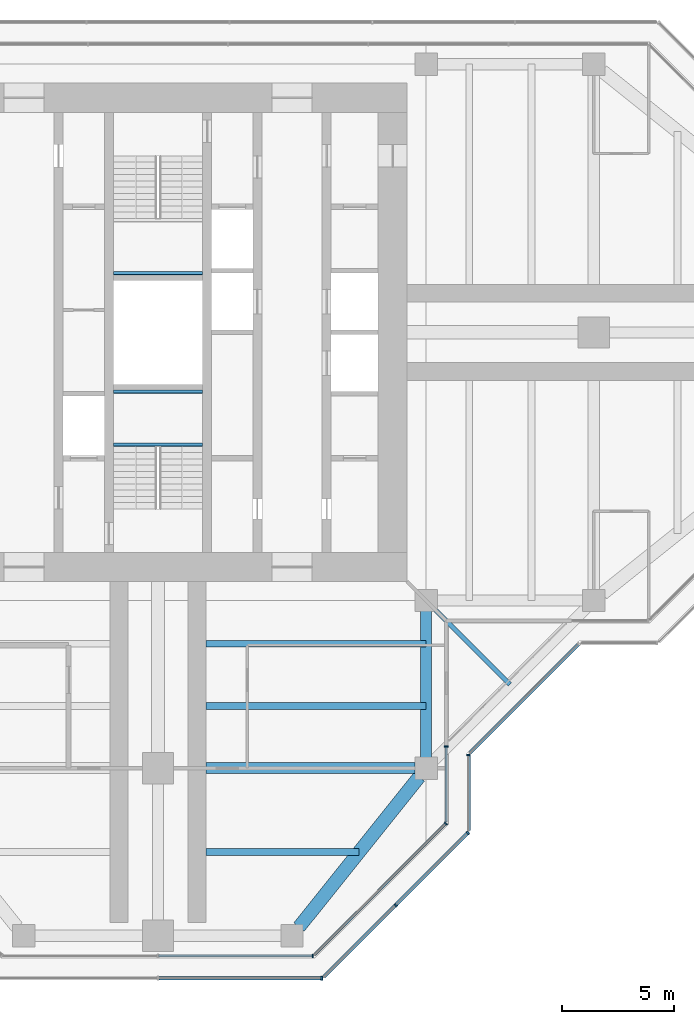
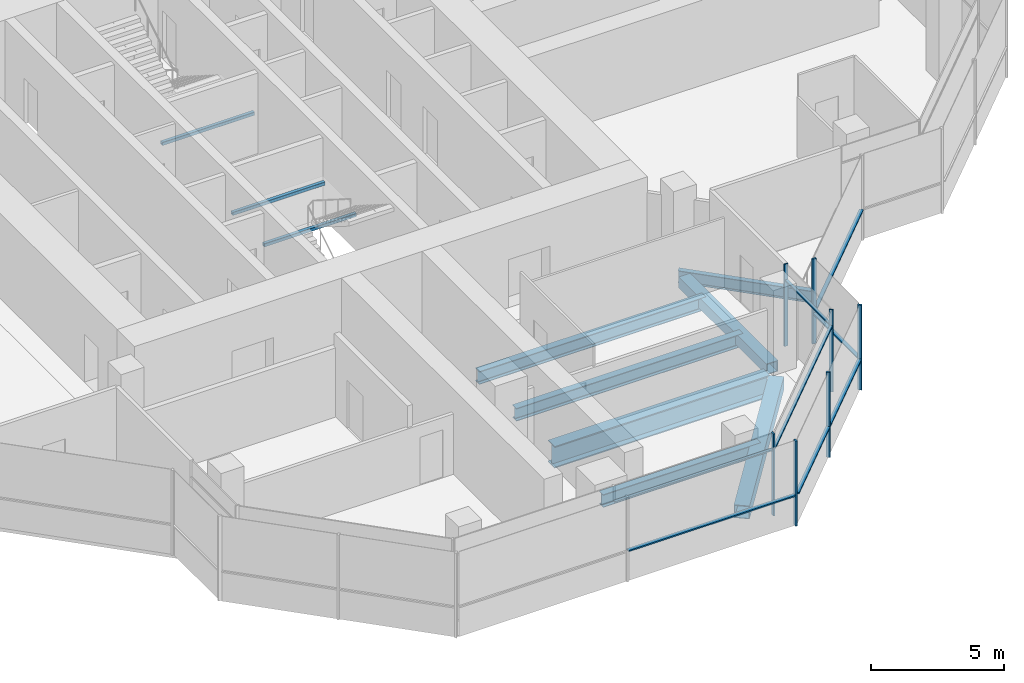
# One storey, part 4 of 15: 15 members, 10 beams, 7 elements without a shape of their own.
"""IFC4 building model written with IfcOpenShell, lengths in metres."""

from ifc_helpers import new_model, si_unit, direction, frame, origin, origin_2d, place, context, subcontext, project, spatial, rectangle, hollow_rectangle, i_section, extrude, material, material_profile, profile_set, type_object, element, aggregate, save


model = new_model("IFC4")

# Units and contexts
model_context = context("Model", 3, precision=1e-05, world=origin(), true_north=direction((0.0, 1.0)))
body_context = subcontext(model_context, "Body", "Model", "MODEL_VIEW")
ifc_project = project(units=[si_unit("LENGTHUNIT", "METRE"), si_unit("AREAUNIT", "SQUARE_METRE"), si_unit("VOLUMEUNIT", "CUBIC_METRE"), si_unit("PLANEANGLEUNIT", "RADIAN"), si_unit("MASSUNIT", "GRAM", prefix="KILO")], contexts=[model_context])

# Site, building, storey
site_placement = place(None, origin())
site = spatial("IfcSite", under=ifc_project, at=site_placement, CompositionType="ELEMENT")
building_placement = place(site_placement, origin())
building = spatial("IfcBuilding", under=site, at=building_placement, Name="Mizan Broadcast Tower", CompositionType="ELEMENT")
storey_placement = place(building_placement, frame((0.0, 0.0, 282.89990234375)))
storey = spatial("IfcBuildingStorey", under=building, at=storey_placement, Name="L67", CompositionType="ELEMENT", Elevation=282.89990234375)

# Beams
ifc_material_1 = material(Name="Steel S355", Category="steel")
ifc_material_profile_1 = material_profile(ifc_material_1, hollow_rectangle(XDim=0.5, YDim=0.5, WallThickness=0.030029296875, at=origin_2d()), Name="BOX 500x500x30")
ifc_profile_set_1 = profile_set([ifc_material_profile_1], Name="Steel S355")
beam_type_1 = type_object("IfcBeamType", Name="EDGE BEAM BOX 500x500x30", PredefinedType="SPANDREL", material=ifc_profile_set_1)
beam_1_placement = place(storey_placement, frame((12.0, -12.449951171875, -0.3798828125), z_axis=(0.0, -1.0, 0.0), x_axis=(1.0, 0.0, 0.0)))
element("IfcBeam", 1, at=beam_1_placement, inside=storey, type_object=beam_type_1, Name="Edge beam BOX 500x500x30 L67 south arm", PredefinedType="SPANDREL", context=body_context, shape_type="SweptSolid", body=[
    extrude(hollow_rectangle(XDim=0.5, YDim=0.5, WallThickness=0.030029296875, at=origin_2d()), origin(), (0.0, 0.0, 1.0), 6.60009765625),
])
ifc_material_2 = material(Name="Steel S355", Category="steel")
ifc_material_profile_2 = material_profile(ifc_material_2, hollow_rectangle(XDim=0.60009765625, YDim=0.60009765625, WallThickness=0.030029296875, at=origin_2d()), Name="BOX 600x600x30")
ifc_profile_set_2 = profile_set([ifc_material_profile_2], Name="Steel S355")
beam_type_2 = type_object("IfcBeamType", Name="EDGE BEAM BOX 600x600x30", PredefinedType="SPANDREL", material=ifc_profile_set_2)
beam_2_placement = place(storey_placement, frame((11.687744140625, -19.890380859375, -0.429931640625), z_axis=(-0.62470196761, -0.780863273348, 0.0), x_axis=(0.780863273348, -0.62470196761, 0.0)))
element("IfcBeam", 2, at=beam_2_placement, inside=storey, type_object=beam_type_2, Name="Edge beam BOX 600x600x30 L67 south arm", PredefinedType="SPANDREL", context=body_context, shape_type="SweptSolid", body=[
    extrude(hollow_rectangle(XDim=0.60009765625, YDim=0.60009765625, WallThickness=0.030029296875, at=origin_2d()), origin(), (0.0, 0.0, 1.0), 8.60498046875),
])
ifc_material_3 = material(Name="Steel S460", Category="steel")
ifc_material_profile_3 = material_profile(ifc_material_3, i_section(OverallWidth=0.5, OverallDepth=1.0, WebThickness=0.02490234375, FlangeThickness=0.050048828125, at=origin_2d()), Name="WPG 1000x500")
ifc_profile_set_3 = profile_set([ifc_material_profile_3], Name="Steel S460")
beam_type_3 = type_object("IfcBeamType", Name="GIRDER WPG 1000x500", PredefinedType="BEAM", material=ifc_profile_set_3)
beam_3_placement = place(storey_placement, frame((11.5, -19.5, -0.6298828125), z_axis=(-1.0, 0.0, 0.0), x_axis=(0.0, -1.0, 0.0)))
element("IfcBeam", 3, at=beam_3_placement, inside=storey, type_object=beam_type_3, Name="Girder WPG 1000x500 L67 south arm", PredefinedType="BEAM", context=body_context, shape_type="SweptSolid", body=[
    extrude(i_section(OverallWidth=0.5, OverallDepth=1.0, WebThickness=0.02490234375, FlangeThickness=0.050048828125, at=origin_2d()), origin(), (0.0, 0.0, 1.0), 9.35009765625),
])

# Curtain wall, member
ifc_material_4 = material(Name="Aluminium framed glazing", Category="aluminium")
curtain_wall_type_1 = type_object("IfcCurtainWallType", Name="INNER SKIN TOP ZONE", PredefinedType="USERDEFINED", material=ifc_material_4)
curtain_wall_1_placement = place(storey_placement, origin())
curtain_wall_1 = element("IfcCurtainWall", 4, at=curtain_wall_1_placement, inside=storey, type_object=curtain_wall_type_1, Name="Inner skin top zone L67 S end", ObjectType="INNER SKIN TOP ZONE", PredefinedType="USERDEFINED")
ifc_material_5 = material(Name="Aluminium, pale anodised", Category="aluminium")
ifc_material_profile_4 = material_profile(ifc_material_5, rectangle(XDim=0.159912109375, YDim=0.06005859375, at=origin_2d()), Name="MULLION 160x60")
ifc_profile_set_4 = profile_set([ifc_material_profile_4], Name="Aluminium, pale anodised")
member_type_1 = type_object("IfcMemberType", Name="INNER SKIN MULLION 60x160", PredefinedType="MULLION", material=ifc_profile_set_4)
member_1_placement = place(storey_placement, frame((6.928466796875, -27.89990234375, 0.0), z_axis=(0.0, 0.0, 1.0), x_axis=(0.0, 1.0, 0.0)))
member_1 = element("IfcMember", 5, at=member_1_placement, type_object=member_type_1, Name="Inner skin top zone L67 S end mullion 3", PredefinedType="MULLION", context=body_context, shape_type="SweptSolid", body=[
    extrude(rectangle(XDim=0.159912109375, YDim=0.06005859375, at=origin_2d()), origin(), (0.0, 0.0, 1.0), 3.77001953125),
])

curtain_wall_2_placement = place(storey_placement, origin())
curtain_wall_2 = element("IfcCurtainWall", 6, at=curtain_wall_2_placement, inside=storey, type_object=curtain_wall_type_1, Name="Inner skin top zone L67 S chamfer", ObjectType="INNER SKIN TOP ZONE", PredefinedType="USERDEFINED")
member_2_placement = place(storey_placement, frame((12.87890625, -21.979736328125, 0.0), z_axis=(0.0, 0.0, 1.0), x_axis=(-0.707106781187, 0.707106781187, 0.0)))
member_2 = element("IfcMember", 7, at=member_2_placement, type_object=member_type_1, Name="Inner skin top zone L67 S chamfer mullion 2", PredefinedType="MULLION", context=body_context, shape_type="SweptSolid", body=[
    extrude(rectangle(XDim=0.159912109375, YDim=0.06005859375, at=origin_2d()), origin(), (0.0, 0.0, 1.0), 3.77001953125),
])

curtain_wall_3_placement = place(storey_placement, origin())
curtain_wall_3 = element("IfcCurtainWall", 8, at=curtain_wall_3_placement, inside=storey, type_object=curtain_wall_type_1, Name="Inner skin top zone L67 S side", ObjectType="INNER SKIN TOP ZONE", PredefinedType="USERDEFINED")
member_3_placement = place(storey_placement, frame((12.89990234375, -18.530029296875, 0.0), z_axis=(0.0, 0.0, 1.0), x_axis=(-1.0, 0.0, 0.0)))
member_3 = element("IfcMember", 9, at=member_3_placement, type_object=member_type_1, Name="Inner skin top zone L67 S side mullion 2", PredefinedType="MULLION", context=body_context, shape_type="SweptSolid", body=[
    extrude(rectangle(XDim=0.159912109375, YDim=0.06005859375, at=origin_2d()), origin(), (0.0, 0.0, 1.0), 3.77001953125),
])

# Member
ifc_material_6 = material(Name="Aluminium, pale anodised", Category="aluminium")
ifc_material_profile_5 = material_profile(ifc_material_6, rectangle(XDim=0.1201171875, YDim=0.06005859375, at=origin_2d()), Name="TRANSOM 120x60")
ifc_profile_set_5 = profile_set([ifc_material_profile_5], Name="Aluminium, pale anodised")
member_type_2 = type_object("IfcMemberType", Name="INNER SKIN TRANSOM 60x120", PredefinedType="USERDEFINED", material=ifc_profile_set_5)
member_4_placement = place(storey_placement, frame((0.030029296875, -27.89990234375, 3.030029296875), z_axis=(1.0, 0.0, 0.0), x_axis=(0.0, 1.0, 0.0)))
member_4 = element("IfcMember", 10, at=member_4_placement, type_object=member_type_2, Name="Inner skin top zone L67 S end transom 2.1", ObjectType="TRANSOM", PredefinedType="USERDEFINED", context=body_context, shape_type="SweptSolid", body=[
    extrude(rectangle(XDim=0.1201171875, YDim=0.06005859375, at=origin_2d()), origin(), (0.0, 0.0, 1.0), 6.86865234375),
])

aggregate(curtain_wall_1, [member_1, member_4])

member_5_placement = place(storey_placement, frame((7.0009765625, -27.857666015625, 3.030029296875), z_axis=(0.707106781187, 0.707106781187, 0.0), x_axis=(-0.707106781187, 0.707106781187, 0.0)))
member_5 = element("IfcMember", 11, at=member_5_placement, type_object=member_type_2, Name="Inner skin top zone L67 S chamfer transom 1.1", ObjectType="TRANSOM", PredefinedType="USERDEFINED", context=body_context, shape_type="SweptSolid", body=[
    extrude(rectangle(XDim=0.1201171875, YDim=0.06005859375, at=origin_2d()), origin(), (0.0, 0.0, 1.0), 8.28271484375),
])

aggregate(curtain_wall_2, [member_2, member_5])

member_6_placement = place(storey_placement, frame((12.89990234375, -21.898681640625, 3.030029296875), z_axis=(0.0, 1.0, 0.0), x_axis=(-1.0, 0.0, 0.0)))
member_6 = element("IfcMember", 12, at=member_6_placement, type_object=member_type_2, Name="Inner skin top zone L67 S side transom 1.1", ObjectType="TRANSOM", PredefinedType="USERDEFINED", context=body_context, shape_type="SweptSolid", body=[
    extrude(rectangle(XDim=0.1201171875, YDim=0.06005859375, at=origin_2d()), origin(), (0.0, 0.0, 1.0), 3.338623046875),
])

aggregate(curtain_wall_3, [member_3, member_6])

# Beams
ifc_material_7 = material(Name="Steel S355", Category="steel")
ifc_material_profile_6 = material_profile(ifc_material_7, hollow_rectangle(XDim=0.14990234375, YDim=0.14990234375, WallThickness=0.008056640625, InnerFilletRadius=0.008056640625, OuterFilletRadius=0.011962890625, at=origin_2d()), Name="SHS 150x150x8")
ifc_profile_set_6 = profile_set([ifc_material_profile_6], Name="Steel S355")
beam_type_4 = type_object("IfcBeamType", Name="LANDING TRIMMER SHS 150x150x8", PredefinedType="BEAM", material=ifc_profile_set_6)
for number, where, z_axis, x_axis, name in (
    (13, (-2.0, -5.02490234375, 1.675048828125), (1.0, 0.0, 0.0), (0.0, 1.0, 0.0), "Stair A landing trimmer L67"),
    (14, (-2.0, -2.64990234375, 1.675048828125), (1.0, 0.0, 0.0), (0.0, 1.0, 0.0), "Stair A landing trimmer L67"),
    (15, (2.0, 2.64990234375, 1.675048828125), (-1.0, 0.0, 0.0), (0.0, -1.0, 0.0), "Stair B landing trimmer L67"),
):
    element("IfcBeam", number, at=place(storey_placement, frame(where, z_axis=z_axis, x_axis=x_axis)), inside=storey, type_object=beam_type_4, Name=name, PredefinedType="BEAM", context=body_context, shape_type="SweptSolid", body=[
        extrude(hollow_rectangle(XDim=0.14990234375, YDim=0.14990234375, WallThickness=0.008056640625, InnerFilletRadius=0.008056640625, OuterFilletRadius=0.011962890625, at=origin_2d()), origin(), (0.0, 0.0, 1.0), 4.0),
    ])

# Curtain wall, member
ifc_material_8 = material(Name="Aluminium framed glazing", Category="aluminium")
curtain_wall_type_2 = type_object("IfcCurtainWallType", Name="OUTER SKIN", PredefinedType="USERDEFINED", material=ifc_material_8)
curtain_wall_4_placement = place(storey_placement, origin())
curtain_wall_4 = element("IfcCurtainWall", 16, at=curtain_wall_4_placement, inside=storey, type_object=curtain_wall_type_2, Name="Outer skin L67 S end", ObjectType="OUTER SKIN", PredefinedType="USERDEFINED")
ifc_material_9 = material(Name="Aluminium, pale anodised", Category="aluminium")
ifc_material_profile_7 = material_profile(ifc_material_9, rectangle(XDim=0.159912109375, YDim=0.080078125, at=origin_2d()), Name="MULLION 160x80")
ifc_profile_set_7 = profile_set([ifc_material_profile_7], Name="Aluminium, pale anodised")
member_type_3 = type_object("IfcMemberType", Name="OUTER SKIN MULLION 80x160", PredefinedType="MULLION", material=ifc_profile_set_7)
member_7_placement = place(storey_placement, frame((7.332763671875, -28.89990234375, 0.0), z_axis=(0.0, 0.0, 1.0), x_axis=(0.0, 1.0, 0.0)))
member_7 = element("IfcMember", 17, at=member_7_placement, type_object=member_type_3, Name="Outer skin L67 S end mullion 3", PredefinedType="MULLION", context=body_context, shape_type="SweptSolid", body=[
    extrude(rectangle(XDim=0.159912109375, YDim=0.080078125, at=origin_2d()), origin(), (0.0, 0.0, 1.0), 3.900146484375),
])

# Curtain wall, members
curtain_wall_5_placement = place(storey_placement, origin())
curtain_wall_5 = element("IfcCurtainWall", 18, at=curtain_wall_5_placement, inside=storey, type_object=curtain_wall_type_2, Name="Outer skin L67 S chamfer", ObjectType="OUTER SKIN", PredefinedType="USERDEFINED")
member_8_placement = place(storey_placement, frame((10.636474609375, -25.636474609375, 0.0), z_axis=(0.0, 0.0, 1.0), x_axis=(-0.707106781187, 0.707106781187, 0.0)))
member_8 = element("IfcMember", 19, at=member_8_placement, type_object=member_type_3, Name="Outer skin L67 S chamfer mullion 2", PredefinedType="MULLION", context=body_context, shape_type="SweptSolid", body=[
    extrude(rectangle(XDim=0.159912109375, YDim=0.080078125, at=origin_2d()), origin(), (0.0, 0.0, 1.0), 3.900146484375),
])
member_9_placement = place(storey_placement, frame((13.871826171875, -22.401123046875, 0.0), z_axis=(0.0, 0.0, 1.0), x_axis=(-0.707106781187, 0.707106781187, 0.0)))
member_9 = element("IfcMember", 20, at=member_9_placement, type_object=member_type_3, Name="Outer skin L67 S chamfer mullion 3", PredefinedType="MULLION", context=body_context, shape_type="SweptSolid", body=[
    extrude(rectangle(XDim=0.159912109375, YDim=0.080078125, at=origin_2d()), origin(), (0.0, 0.0, 1.0), 3.900146484375),
])

# Curtain wall, member
curtain_wall_6_placement = place(storey_placement, origin())
curtain_wall_6 = element("IfcCurtainWall", 21, at=curtain_wall_6_placement, inside=storey, type_object=curtain_wall_type_2, Name="Outer skin L67 S side", ObjectType="OUTER SKIN", PredefinedType="USERDEFINED")
member_10_placement = place(storey_placement, frame((13.89990234375, -18.912841796875, 0.0), z_axis=(0.0, 0.0, 1.0), x_axis=(-1.0, 0.0, 0.0)))
member_10 = element("IfcMember", 22, at=member_10_placement, type_object=member_type_3, Name="Outer skin L67 S side mullion 2", PredefinedType="MULLION", context=body_context, shape_type="SweptSolid", body=[
    extrude(rectangle(XDim=0.159912109375, YDim=0.080078125, at=origin_2d()), origin(), (0.0, 0.0, 1.0), 3.900146484375),
])

# Member
ifc_material_10 = material(Name="Aluminium, pale anodised", Category="aluminium")
ifc_material_profile_8 = material_profile(ifc_material_10, rectangle(XDim=0.159912109375, YDim=0.06005859375, at=origin_2d()), Name="TRANSOM 160x60")
ifc_profile_set_8 = profile_set([ifc_material_profile_8], Name="Aluminium, pale anodised")
member_type_4 = type_object("IfcMemberType", Name="OUTER SKIN TRANSOM 60x160", PredefinedType="USERDEFINED", material=ifc_profile_set_8)
member_11_placement = place(storey_placement, frame((0.0400390625, -28.89990234375, 1.400146484375), z_axis=(1.0, 0.0, 0.0), x_axis=(0.0, 1.0, 0.0)))
member_11 = element("IfcMember", 23, at=member_11_placement, type_object=member_type_4, Name="Outer skin L67 S end transom 2.1", ObjectType="TRANSOM", PredefinedType="USERDEFINED", context=body_context, shape_type="SweptSolid", body=[
    extrude(rectangle(XDim=0.159912109375, YDim=0.06005859375, at=origin_2d()), origin(), (0.0, 0.0, 1.0), 7.252685546875),
])

aggregate(curtain_wall_4, [member_7, member_11])

member_12_placement = place(storey_placement, frame((7.429443359375, -28.843505859375, 1.400146484375), z_axis=(0.707106781187, 0.707106781187, 0.0), x_axis=(-0.707106781187, 0.707106781187, 0.0)))
member_12 = element("IfcMember", 24, at=member_12_placement, type_object=member_type_4, Name="Outer skin L67 S chamfer transom 1.1", ObjectType="TRANSOM", PredefinedType="USERDEFINED", context=body_context, shape_type="SweptSolid", body=[
    extrude(rectangle(XDim=0.159912109375, YDim=0.06005859375, at=origin_2d()), origin(), (0.0, 0.0, 1.0), 4.495361328125),
])

member_13_placement = place(storey_placement, frame((10.664794921875, -25.608154296875, 1.400146484375), z_axis=(0.707106781187, 0.707106781187, 0.0), x_axis=(-0.707106781187, 0.707106781187, 0.0)))
member_13 = element("IfcMember", 25, at=member_13_placement, type_object=member_type_4, Name="Outer skin L67 S chamfer transom 2.1", ObjectType="TRANSOM", PredefinedType="USERDEFINED", context=body_context, shape_type="SweptSolid", body=[
    extrude(rectangle(XDim=0.159912109375, YDim=0.06005859375, at=origin_2d()), origin(), (0.0, 0.0, 1.0), 4.495361328125),
])

aggregate(curtain_wall_5, [member_8, member_9, member_12, member_13])

member_14_placement = place(storey_placement, frame((13.89990234375, -22.292724609375, 1.400146484375), z_axis=(0.0, 1.0, 0.0), x_axis=(-1.0, 0.0, 0.0)))
member_14 = element("IfcMember", 26, at=member_14_placement, type_object=member_type_4, Name="Outer skin L67 S side transom 1.1", ObjectType="TRANSOM", PredefinedType="USERDEFINED", context=body_context, shape_type="SweptSolid", body=[
    extrude(rectangle(XDim=0.159912109375, YDim=0.06005859375, at=origin_2d()), origin(), (0.0, 0.0, 1.0), 3.33984375),
])

aggregate(curtain_wall_6, [member_10, member_14])

# Curtain wall, member
curtain_wall_7_placement = place(storey_placement, origin())
curtain_wall_7 = element("IfcCurtainWall", 27, at=curtain_wall_7_placement, inside=storey, type_object=curtain_wall_type_2, Name="Outer skin L67 E chamfer", ObjectType="OUTER SKIN", PredefinedType="USERDEFINED")
member_15_placement = place(storey_placement, frame((13.95654296875, -18.816162109375, 1.400146484375), z_axis=(0.707106781187, 0.707106781187, 0.0), x_axis=(-0.707106781187, 0.707106781187, 0.0)))
member_15 = element("IfcMember", 28, at=member_15_placement, type_object=member_type_4, Name="Outer skin L67 E chamfer transom 1.1", ObjectType="TRANSOM", PredefinedType="USERDEFINED", context=body_context, shape_type="SweptSolid", body=[
    extrude(rectangle(XDim=0.159912109375, YDim=0.06005859375, at=origin_2d()), origin(), (0.0, 0.0, 1.0), 6.87255859375),
])
aggregate(curtain_wall_7, [member_15])

# Beams
ifc_material_11 = material(Name="Steel S355", Category="steel")
ifc_material_profile_9 = material_profile(ifc_material_11, i_section(OverallWidth=0.300048828125, OverallDepth=0.590087890625, WebThickness=0.012939453125, FlangeThickness=0.02490234375, FilletRadius=0.027099609375, at=origin_2d()), Name="HEA 600")
ifc_profile_set_9 = profile_set([ifc_material_profile_9], Name="Steel S355")
beam_type_5 = type_object("IfcBeamType", Name="SECONDARY BEAM HEA 600", PredefinedType="JOIST", material=ifc_profile_set_9)
for number, where, z_axis, x_axis, name in (
    (29, (12.0, -13.933349609375, -0.4248046875), (-1.0, 0.0, 0.0), (0.0, -1.0, 0.0), "Secondary beam HEA 600 L67 south arm"),
    (30, (12.0, -16.716552734375, -0.4248046875), (-1.0, 0.0, 0.0), (0.0, -1.0, 0.0), "Secondary beam HEA 600 L67 south arm"),
):
    element("IfcBeam", number, at=place(storey_placement, frame(where, z_axis=z_axis, x_axis=x_axis)), inside=storey, type_object=beam_type_5, Name=name, PredefinedType="JOIST", context=body_context, shape_type="SweptSolid", body=[
        extrude(i_section(OverallWidth=0.300048828125, OverallDepth=0.590087890625, WebThickness=0.012939453125, FlangeThickness=0.02490234375, FilletRadius=0.027099609375, at=origin_2d()), origin(), (0.0, 0.0, 1.0), 9.85009765625),
    ])
beam_4_placement = place(storey_placement, frame((9.0, -23.25, -0.4248046875), z_axis=(-1.0, 0.0, 0.0), x_axis=(0.0, -1.0, 0.0)))
element("IfcBeam", 31, at=beam_4_placement, inside=storey, type_object=beam_type_5, Name="Secondary beam HEA 600 L67 south arm", PredefinedType="JOIST", context=body_context, shape_type="SweptSolid", body=[
    extrude(i_section(OverallWidth=0.300048828125, OverallDepth=0.590087890625, WebThickness=0.012939453125, FlangeThickness=0.02490234375, FilletRadius=0.027099609375, at=origin_2d()), origin(), (0.0, 0.0, 1.0), 6.85009765625),
])
ifc_material_12 = material(Name="Steel S355", Category="steel")
ifc_material_profile_10 = material_profile(ifc_material_12, i_section(OverallWidth=0.2099609375, OverallDepth=0.550048828125, WebThickness=0.010986328125, FlangeThickness=0.01708984375, FilletRadius=0.02392578125, at=origin_2d()), Name="IPE 550")
ifc_profile_set_10 = profile_set([ifc_material_profile_10], Name="Steel S355")
beam_type_6 = type_object("IfcBeamType", Name="SECONDARY BEAM IPE 550", PredefinedType="JOIST", material=ifc_profile_set_10)
beam_5_placement = place(storey_placement, frame((12.0, -12.0, -0.40478515625), z_axis=(0.707106781187, -0.707106781187, 0.0), x_axis=(0.707106781187, 0.707106781187, 0.0)))
element("IfcBeam", 32, at=beam_5_placement, inside=storey, type_object=beam_type_6, Name="Winter garden beam L67 S", PredefinedType="JOIST", context=body_context, shape_type="SweptSolid", body=[
    extrude(i_section(OverallWidth=0.2099609375, OverallDepth=0.550048828125, WebThickness=0.010986328125, FlangeThickness=0.01708984375, FilletRadius=0.02392578125, at=origin_2d()), origin(), (0.0, 0.0, 1.0), 5.30322265625),
])

save(model, "model.ifc")
